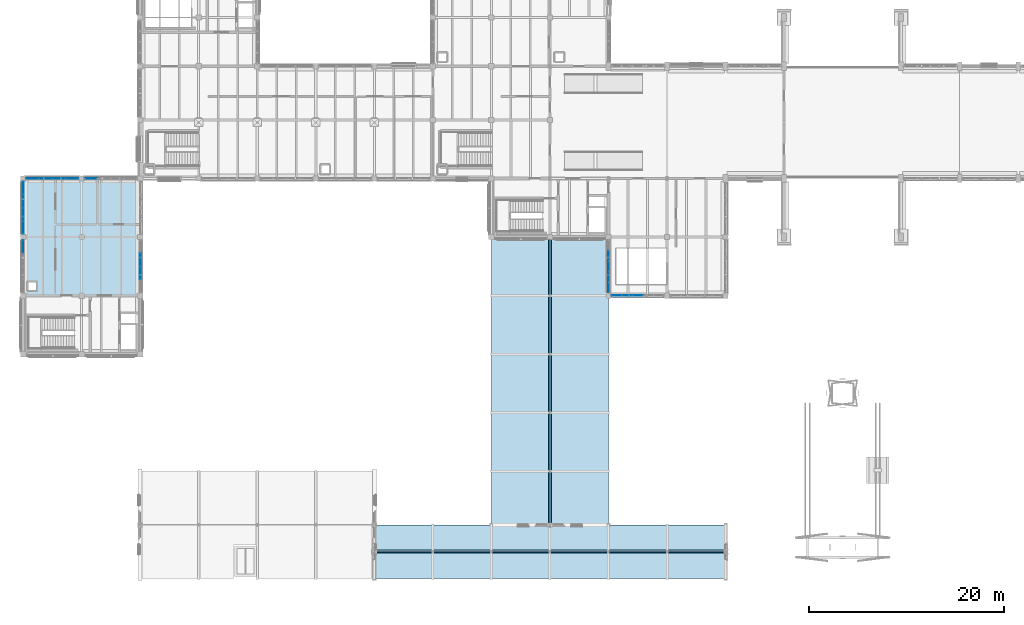
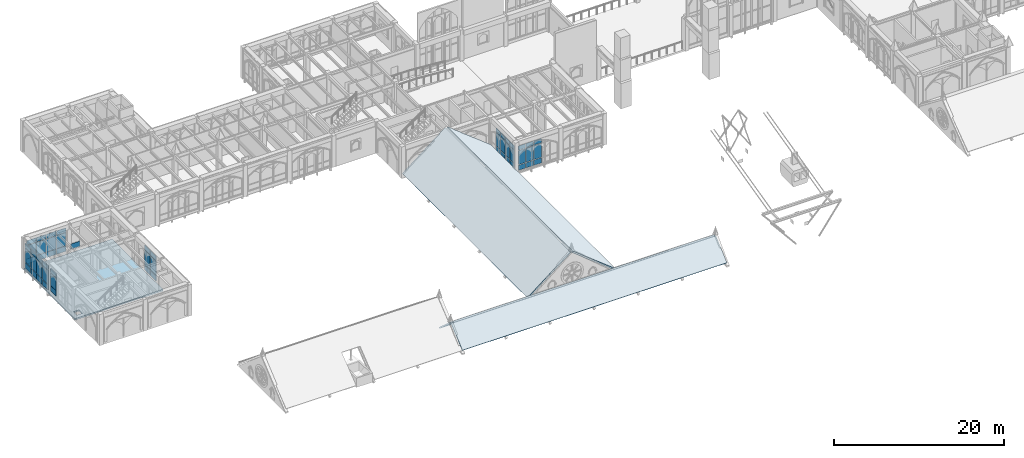
# One storey, part 62 of 108: 55 plates, 5 slabs, 7 elements without a shape of their own.
"""IFC4 building model written with IfcOpenShell, lengths in metres."""

from ifc_helpers import new_model, si_unit, direction, frame, origin, origin_2d, place, context, subcontext, project, spatial, polyline, rectangle, outline, extrude, material, layer, layer_set, type_object, element, aggregate, save


model = new_model("IFC4")

# Units and contexts
model_context = context("Model", 3, precision=1e-05, world=origin(), true_north=direction((0.0, 1.0)))
body_context = subcontext(model_context, "Body", "Model", "MODEL_VIEW")
ifc_project = project(units=[si_unit("LENGTHUNIT", "METRE"), si_unit("AREAUNIT", "SQUARE_METRE"), si_unit("VOLUMEUNIT", "CUBIC_METRE"), si_unit("PLANEANGLEUNIT", "RADIAN"), si_unit("MASSUNIT", "GRAM", prefix="KILO")], contexts=[model_context])

# Site, building, storey
site_placement = place(None, origin())
site = spatial("IfcSite", under=ifc_project, at=site_placement, CompositionType="ELEMENT")
building_placement = place(site_placement, origin())
building = spatial("IfcBuilding", under=site, at=building_placement, Name="Cumevento Cable Car Station", CompositionType="ELEMENT")
storey_placement = place(building_placement, frame((0.0, 0.0, 13.5)))
storey = spatial("IfcBuildingStorey", under=building, at=storey_placement, Name="L04", CompositionType="ELEMENT", Elevation=13.5)

# Slabs
ifc_material_1 = material(Name="Concrete C40/50", Category="concrete")
ifc_layer_1 = layer(ifc_material_1, 0.199951171875)
ifc_layer_set_1 = layer_set([ifc_layer_1], Name="Concrete C40/50")
slab_type_1 = type_object("IfcSlabType", Name="Concrete Deck FS-200 200", PredefinedType="FLOOR", material=ifc_layer_set_1)
slab_placement = place(storey_placement, frame((0.0, 0.0, -0.199951171875)))
element("IfcSlab", 1, at=slab_placement, inside=storey, type_object=slab_type_1, Name="Floor Slab FS-200 L04 B_V6b.1", PredefinedType="FLOOR", context=body_context, shape_type="SweptSolid", body=[
    extrude(outline(polyline([(10.0, 33.0), (22.0, 33.0), (22.0, 45.0), (10.0, 45.0), (10.0, 33.0)]), holes=[polyline([(10.550048828125, 33.550048828125), (11.35009765625, 33.550048828125), (11.35009765625, 34.35009765625), (10.550048828125, 34.35009765625), (10.550048828125, 33.550048828125)])]), origin(), (0.0, 0.0, 1.0), 0.199951171875),
])
ifc_material_2 = material(Name="Concrete C40/50", Category="concrete")
ifc_layer_2 = layer(ifc_material_2, 0.172119140625)
ifc_layer_set_2 = layer_set([ifc_layer_2], Name="Concrete C40/50")
slab_type_2 = type_object("IfcSlabType", Name="Concrete Deck RS-172 172", PredefinedType="ROOF", material=ifc_layer_set_2)
for number, where, z_axis, x_axis, name in (
    (2, (46.0, 4.0, 0.439208984375), (0.0, -0.665226690968, 0.746641446494), (1.0, 0.0, 0.0), "Wing B_V1b Gable Roof South"),
    (3, (46.0, 6.905029296875, 2.751220703125), (0.0, 0.665226690968, 0.746641446494), (1.0, 0.0, 0.0), "Wing B_V1b Gable Roof North"),
):
    element("IfcSlab", number, at=place(storey_placement, frame(where, z_axis=z_axis, x_axis=x_axis)), inside=storey, type_object=slab_type_2, Name=name, PredefinedType="ROOF", context=body_context, shape_type="SweptSolid", body=[
        extrude(outline(polyline([(0.0, 0.0), (36.0, 0.0), (36.0, 3.475524584536036), (0.0, 3.475524584536036), (0.0, 0.0)])), origin(), (0.0, 0.0, -1.0), 0.172119140625),
    ])
ifc_material_3 = material(Name="Concrete C40/50", Category="concrete")
ifc_layer_3 = layer(ifc_material_3, 0.215087890625)
ifc_layer_set_3 = layer_set([ifc_layer_3], Name="Concrete C40/50")
slab_type_3 = type_object("IfcSlabType", Name="Concrete Deck RS-215 215", PredefinedType="ROOF", material=ifc_layer_set_3)
for number, where, z_axis, x_axis, name in (
    (4, (58.0, 39.0, 0.47119140625), (-0.616659595847, 0.0, 0.7872299174), (0.0, -1.0, 0.0), "Wing B_V2b Gable Roof West"),
    (5, (64.159912109375, 39.0, 5.0458984375), (0.616659595847, 0.0, 0.7872299174), (0.0, -1.0, 0.0), "Wing B_V2b Gable Roof East"),
):
    element("IfcSlab", number, at=place(storey_placement, frame(where, z_axis=z_axis, x_axis=x_axis)), inside=storey, type_object=slab_type_3, Name=name, PredefinedType="ROOF", context=body_context, shape_type="SweptSolid", body=[
        extrude(outline(polyline([(0.0, 0.0), (29.5, 0.0), (29.5, 7.418528896755269), (0.0, 7.418528896755269), (0.0, 0.0)])), origin(), (0.0, 0.0, -1.0), 0.215087890625),
    ])

# Curtain wall, plates
ifc_material_4 = material(Name="Anodised Bronze Aluminium AW-6063-T6", Category="aluminium")
ifc_layer_4 = layer(ifc_material_4, 0.159912109375)
ifc_layer_set_4 = layer_set([ifc_layer_4], Name="Anodised Bronze Aluminium AW-6063-T6")
curtain_wall_type_1 = type_object("IfcCurtainWallType", Name="Lancet Curtain Wall CW-01 1050", PredefinedType="NOTDEFINED", material=ifc_layer_set_4)
curtain_wall_1_placement = place(storey_placement, origin())
curtain_wall_1 = element("IfcCurtainWall", 6, at=curtain_wall_1_placement, inside=storey, type_object=curtain_wall_type_1, Name="Lancet Curtain Wall CW-01 L04 #144", PredefinedType="NOTDEFINED")
ifc_material_5 = material(Name="Solar Control Laminated Double Glazing", Category="glass")
ifc_layer_5 = layer(ifc_material_5, 0.0380859375)
ifc_layer_set_5 = layer_set([ifc_layer_5], Name="Solar Control Laminated Double Glazing")
plate_type_1 = type_object("IfcPlateType", Name="Glazed Panel CWP-05 38", PredefinedType="CURTAIN_PANEL", material=ifc_layer_set_5)
plate_1_placement = place(storey_placement, frame((73.0, 33.0, 0.22509765625), z_axis=(0.0, 0.0, 1.0), x_axis=(-1.0, 0.0, 0.0)))
plate_1 = element("IfcPlate", 7, at=plate_1_placement, type_object=plate_type_1, Name="CW-01 panel 3.1", PredefinedType="CURTAIN_PANEL", context=body_context, shape_type="SweptSolid", body=[
    extrude(rectangle(XDim=1.02490234375, YDim=0.0380859375, at=origin_2d()), origin(), (0.0, 0.0, 1.0), 0.75244140625),
])
plate_2_placement = place(storey_placement, frame((73.0, 33.0, 1.04248046875), z_axis=(0.0, 0.0, 1.0), x_axis=(-1.0, 0.0, 0.0)))
plate_2 = element("IfcPlate", 8, at=plate_2_placement, type_object=plate_type_1, Name="CW-01 panel 3.2", PredefinedType="CURTAIN_PANEL", context=body_context, shape_type="SweptSolid", body=[
    extrude(rectangle(XDim=1.02490234375, YDim=0.0380859375, at=origin_2d()), origin(), (0.0, 0.0, 1.0), 2.02197265625),
])
plate_3_placement = place(storey_placement, frame((73.0, 33.0, 3.12939453125), z_axis=(0.0, 0.0, 1.0), x_axis=(-1.0, 0.0, 0.0)))
plate_3 = element("IfcPlate", 9, at=plate_3_placement, type_object=plate_type_1, Name="CW-01 panel 3.3", PredefinedType="CURTAIN_PANEL", context=body_context, shape_type="SweptSolid", body=[
    extrude(rectangle(XDim=1.02490234375, YDim=0.0380859375, at=origin_2d()), origin(), (0.0, 0.0, 1.0), 0.6025390625),
])
plate_4_placement = place(storey_placement, frame((71.909912109375, 33.0, 0.22509765625), z_axis=(0.0, 0.0, 1.0), x_axis=(-1.0, 0.0, 0.0)))
plate_4 = element("IfcPlate", 10, at=plate_4_placement, type_object=plate_type_1, Name="CW-01 panel 4.1", PredefinedType="CURTAIN_PANEL", context=body_context, shape_type="SweptSolid", body=[
    extrude(rectangle(XDim=1.02490234375, YDim=0.0380859375, at=origin_2d()), origin(), (0.0, 0.0, 1.0), 0.75244140625),
])
plate_5_placement = place(storey_placement, frame((71.909912109375, 33.0, 1.04248046875), z_axis=(0.0, 0.0, 1.0), x_axis=(-1.0, 0.0, 0.0)))
plate_5 = element("IfcPlate", 11, at=plate_5_placement, type_object=plate_type_1, Name="CW-01 panel 4.2", PredefinedType="CURTAIN_PANEL", context=body_context, shape_type="SweptSolid", body=[
    extrude(rectangle(XDim=1.02490234375, YDim=0.0380859375, at=origin_2d()), origin(), (0.0, 0.0, 1.0), 2.02197265625),
])
plate_6_placement = place(storey_placement, frame((71.909912109375, 33.0, 3.12939453125), z_axis=(0.0, 0.0, 1.0), x_axis=(-1.0, 0.0, 0.0)))
plate_6 = element("IfcPlate", 12, at=plate_6_placement, type_object=plate_type_1, Name="CW-01 panel 4.3", PredefinedType="CURTAIN_PANEL", context=body_context, shape_type="SweptSolid", body=[
    extrude(rectangle(XDim=1.02490234375, YDim=0.0380859375, at=origin_2d()), origin(), (0.0, 0.0, 1.0), 0.6025390625),
])
plate_7_placement = place(storey_placement, frame((70.836181640625, 33.0, 0.22509765625), z_axis=(0.0, 0.0, 1.0), x_axis=(-1.0, 0.0, 0.0)))
plate_7 = element("IfcPlate", 13, at=plate_7_placement, type_object=plate_type_1, Name="CW-01 panel 5.1", PredefinedType="CURTAIN_PANEL", context=body_context, shape_type="SweptSolid", body=[
    extrude(rectangle(XDim=0.992431640625, YDim=0.0380859375, at=origin_2d()), origin(), (0.0, 0.0, 1.0), 0.75244140625),
])
plate_8_placement = place(storey_placement, frame((70.836181640625, 33.0, 1.04248046875), z_axis=(0.0, 0.0, 1.0), x_axis=(-1.0, 0.0, 0.0)))
plate_8 = element("IfcPlate", 14, at=plate_8_placement, type_object=plate_type_1, Name="CW-01 panel 5.2", PredefinedType="CURTAIN_PANEL", context=body_context, shape_type="SweptSolid", body=[
    extrude(rectangle(XDim=0.992431640625, YDim=0.0380859375, at=origin_2d()), origin(), (0.0, 0.0, 1.0), 2.02197265625),
])
plate_9_placement = place(storey_placement, frame((70.836181640625, 33.0, 3.12939453125), z_axis=(0.0, 0.0, 1.0), x_axis=(-1.0, 0.0, 0.0)))
plate_9 = element("IfcPlate", 15, at=plate_9_placement, type_object=plate_type_1, Name="CW-01 panel 5.3", PredefinedType="CURTAIN_PANEL", context=body_context, shape_type="SweptSolid", body=[
    extrude(rectangle(XDim=0.992431640625, YDim=0.0380859375, at=origin_2d()), origin(), (0.0, 0.0, 1.0), 0.6025390625),
])
aggregate(curtain_wall_1, [plate_1, plate_2, plate_3, plate_4, plate_5, plate_6, plate_7, plate_8, plate_9])

ifc_material_6 = material(Name="Anodised Bronze Aluminium AW-6063-T6", Category="aluminium")
ifc_layer_6 = layer(ifc_material_6, 0.172119140625)
ifc_layer_set_6 = layer_set([ifc_layer_6], Name="Anodised Bronze Aluminium AW-6063-T6")
curtain_wall_type_2 = type_object("IfcCurtainWallType", Name="Lancet Curtain Wall CW-03 1130", PredefinedType="NOTDEFINED", material=ifc_layer_set_6)
curtain_wall_2_placement = place(storey_placement, origin())
curtain_wall_2 = element("IfcCurtainWall", 16, at=curtain_wall_2_placement, inside=storey, type_object=curtain_wall_type_2, Name="Lancet Curtain Wall CW-03 L04 #146", PredefinedType="NOTDEFINED")
ifc_material_7 = material(Name="Solar Control Laminated Double Glazing", Category="glass")
ifc_layer_7 = layer(ifc_material_7, 0.0458984375)
ifc_layer_set_7 = layer_set([ifc_layer_7], Name="Solar Control Laminated Double Glazing")
plate_type_2 = type_object("IfcPlateType", Name="Glazed Panel CWP-07 46", PredefinedType="CURTAIN_PANEL", material=ifc_layer_set_7)
plate_10_placement = place(storey_placement, frame((70.0, 33.836181640625, 0.324951171875), z_axis=(0.0, 0.0, 1.0), x_axis=(0.0, 1.0, 0.0)))
plate_10 = element("IfcPlate", 17, at=plate_10_placement, type_object=plate_type_2, Name="CW-03 panel 1.1", PredefinedType="CURTAIN_PANEL", context=body_context, shape_type="SweptSolid", body=[
    extrude(rectangle(XDim=0.992431640625, YDim=0.0458984375, at=origin_2d()), origin(), (0.0, 0.0, 1.0), 0.75244140625),
])
plate_11_placement = place(storey_placement, frame((70.0, 33.836181640625, 1.142578125), z_axis=(0.0, 0.0, 1.0), x_axis=(0.0, 1.0, 0.0)))
plate_11 = element("IfcPlate", 18, at=plate_11_placement, type_object=plate_type_2, Name="CW-03 panel 1.2", PredefinedType="CURTAIN_PANEL", context=body_context, shape_type="SweptSolid", body=[
    extrude(rectangle(XDim=0.992431640625, YDim=0.0458984375, at=origin_2d()), origin(), (0.0, 0.0, 1.0), 1.8720703125),
])
plate_12_placement = place(storey_placement, frame((70.0, 33.836181640625, 3.07958984375), z_axis=(0.0, 0.0, 1.0), x_axis=(0.0, 1.0, 0.0)))
plate_12 = element("IfcPlate", 19, at=plate_12_placement, type_object=plate_type_2, Name="CW-03 panel 1.3", PredefinedType="CURTAIN_PANEL", context=body_context, shape_type="SweptSolid", body=[
    extrude(rectangle(XDim=0.992431640625, YDim=0.0458984375, at=origin_2d()), origin(), (0.0, 0.0, 1.0), 0.6025390625),
])
plate_13_placement = place(storey_placement, frame((70.0, 34.909912109375, 0.324951171875), z_axis=(0.0, 0.0, 1.0), x_axis=(0.0, 1.0, 0.0)))
plate_13 = element("IfcPlate", 20, at=plate_13_placement, type_object=plate_type_2, Name="CW-03 panel 2.1", PredefinedType="CURTAIN_PANEL", context=body_context, shape_type="SweptSolid", body=[
    extrude(rectangle(XDim=1.02490234375, YDim=0.0458984375, at=origin_2d()), origin(), (0.0, 0.0, 1.0), 0.75244140625),
])
plate_14_placement = place(storey_placement, frame((70.0, 34.909912109375, 1.142578125), z_axis=(0.0, 0.0, 1.0), x_axis=(0.0, 1.0, 0.0)))
plate_14 = element("IfcPlate", 21, at=plate_14_placement, type_object=plate_type_2, Name="CW-03 panel 2.2", PredefinedType="CURTAIN_PANEL", context=body_context, shape_type="SweptSolid", body=[
    extrude(rectangle(XDim=1.02490234375, YDim=0.0458984375, at=origin_2d()), origin(), (0.0, 0.0, 1.0), 1.8720703125),
])
plate_15_placement = place(storey_placement, frame((70.0, 34.909912109375, 3.07958984375), z_axis=(0.0, 0.0, 1.0), x_axis=(0.0, 1.0, 0.0)))
plate_15 = element("IfcPlate", 22, at=plate_15_placement, type_object=plate_type_2, Name="CW-03 panel 2.3", PredefinedType="CURTAIN_PANEL", context=body_context, shape_type="SweptSolid", body=[
    extrude(rectangle(XDim=1.02490234375, YDim=0.0458984375, at=origin_2d()), origin(), (0.0, 0.0, 1.0), 0.6025390625),
])
plate_16_placement = place(storey_placement, frame((70.0, 36.0, 0.324951171875), z_axis=(0.0, 0.0, 1.0), x_axis=(0.0, 1.0, 0.0)))
plate_16 = element("IfcPlate", 23, at=plate_16_placement, type_object=plate_type_2, Name="CW-03 panel 3.1", PredefinedType="CURTAIN_PANEL", context=body_context, shape_type="SweptSolid", body=[
    extrude(rectangle(XDim=1.02490234375, YDim=0.0458984375, at=origin_2d()), origin(), (0.0, 0.0, 1.0), 0.75244140625),
])
plate_17_placement = place(storey_placement, frame((70.0, 36.0, 1.142578125), z_axis=(0.0, 0.0, 1.0), x_axis=(0.0, 1.0, 0.0)))
plate_17 = element("IfcPlate", 24, at=plate_17_placement, type_object=plate_type_2, Name="CW-03 panel 3.2", PredefinedType="CURTAIN_PANEL", context=body_context, shape_type="SweptSolid", body=[
    extrude(rectangle(XDim=1.02490234375, YDim=0.0458984375, at=origin_2d()), origin(), (0.0, 0.0, 1.0), 1.8720703125),
])
plate_18_placement = place(storey_placement, frame((70.0, 36.0, 3.07958984375), z_axis=(0.0, 0.0, 1.0), x_axis=(0.0, 1.0, 0.0)))
plate_18 = element("IfcPlate", 25, at=plate_18_placement, type_object=plate_type_2, Name="CW-03 panel 3.3", PredefinedType="CURTAIN_PANEL", context=body_context, shape_type="SweptSolid", body=[
    extrude(rectangle(XDim=1.02490234375, YDim=0.0458984375, at=origin_2d()), origin(), (0.0, 0.0, 1.0), 0.6025390625),
])
plate_19_placement = place(storey_placement, frame((70.0, 37.090087890625, 0.324951171875), z_axis=(0.0, 0.0, 1.0), x_axis=(0.0, 1.0, 0.0)))
plate_19 = element("IfcPlate", 26, at=plate_19_placement, type_object=plate_type_2, Name="CW-03 panel 4.1", PredefinedType="CURTAIN_PANEL", context=body_context, shape_type="SweptSolid", body=[
    extrude(rectangle(XDim=1.02490234375, YDim=0.0458984375, at=origin_2d()), origin(), (0.0, 0.0, 1.0), 0.75244140625),
])
plate_20_placement = place(storey_placement, frame((70.0, 37.090087890625, 1.142578125), z_axis=(0.0, 0.0, 1.0), x_axis=(0.0, 1.0, 0.0)))
plate_20 = element("IfcPlate", 27, at=plate_20_placement, type_object=plate_type_2, Name="CW-03 panel 4.2", PredefinedType="CURTAIN_PANEL", context=body_context, shape_type="SweptSolid", body=[
    extrude(rectangle(XDim=1.02490234375, YDim=0.0458984375, at=origin_2d()), origin(), (0.0, 0.0, 1.0), 1.8720703125),
])
plate_21_placement = place(storey_placement, frame((70.0, 37.090087890625, 3.07958984375), z_axis=(0.0, 0.0, 1.0), x_axis=(0.0, 1.0, 0.0)))
plate_21 = element("IfcPlate", 28, at=plate_21_placement, type_object=plate_type_2, Name="CW-03 panel 4.3", PredefinedType="CURTAIN_PANEL", context=body_context, shape_type="SweptSolid", body=[
    extrude(rectangle(XDim=1.02490234375, YDim=0.0458984375, at=origin_2d()), origin(), (0.0, 0.0, 1.0), 0.6025390625),
])
aggregate(curtain_wall_2, [plate_10, plate_11, plate_12, plate_13, plate_14, plate_15, plate_16, plate_17, plate_18, plate_19, plate_20, plate_21])

ifc_material_8 = material(Name="Anodised Bronze Aluminium AW-6063-T6", Category="aluminium")
ifc_layer_8 = layer(ifc_material_8, 0.18994140625)
ifc_layer_set_8 = layer_set([ifc_layer_8], Name="Anodised Bronze Aluminium AW-6063-T6")
curtain_wall_type_3 = type_object("IfcCurtainWallType", Name="Lancet Curtain Wall CW-06 1250", PredefinedType="NOTDEFINED", material=ifc_layer_set_8)
curtain_wall_3_placement = place(storey_placement, origin())
curtain_wall_3 = element("IfcCurtainWall", 29, at=curtain_wall_3_placement, inside=storey, type_object=curtain_wall_type_3, Name="Lancet Curtain Wall CW-06 L04 #149", PredefinedType="NOTDEFINED")
ifc_material_9 = material(Name="Insulated Bronze Aluminium Spandrel Panel", Category="aluminium")
ifc_layer_9 = layer(ifc_material_9, 0.06005859375)
ifc_layer_set_9 = layer_set([ifc_layer_9], Name="Insulated Bronze Aluminium Spandrel Panel")
plate_type_3 = type_object("IfcPlateType", Name="Spandrel Panel CWP-10 60", PredefinedType="CURTAIN_PANEL", material=ifc_layer_set_9)
plate_22_placement = place(storey_placement, frame((10.972412109375, 45.0, 0.47509765625), z_axis=(0.0, 0.0, 1.0), x_axis=(1.0, 0.0, 0.0)))
plate_22 = element("IfcPlate", 30, at=plate_22_placement, type_object=plate_type_3, Name="CW-06 panel 1.1", PredefinedType="CURTAIN_PANEL", context=body_context, shape_type="SweptSolid", body=[
    extrude(rectangle(XDim=1.264892578125, YDim=0.06005859375, at=origin_2d()), origin(), (0.0, 0.0, 1.0), 0.75244140625),
])
plate_23_placement = place(storey_placement, frame((10.972412109375, 45.0, 1.29248046875), z_axis=(0.0, 0.0, 1.0), x_axis=(1.0, 0.0, 0.0)))
plate_23 = element("IfcPlate", 31, at=plate_23_placement, type_object=plate_type_3, Name="CW-06 panel 1.2", PredefinedType="CURTAIN_PANEL", context=body_context, shape_type="SweptSolid", body=[
    extrude(rectangle(XDim=1.264892578125, YDim=0.06005859375, at=origin_2d()), origin(), (0.0, 0.0, 1.0), 1.85595703125),
])
plate_24_placement = place(storey_placement, frame((10.972412109375, 45.0, 3.21337890625), z_axis=(0.0, 0.0, 1.0), x_axis=(1.0, 0.0, 0.0)))
plate_24 = element("IfcPlate", 32, at=plate_24_placement, type_object=plate_type_3, Name="CW-06 panel 1.3", PredefinedType="CURTAIN_PANEL", context=body_context, shape_type="SweptSolid", body=[
    extrude(rectangle(XDim=1.264892578125, YDim=0.06005859375, at=origin_2d()), origin(), (0.0, 0.0, 1.0), 0.6025390625),
])
plate_25_placement = place(storey_placement, frame((12.31884765625, 45.0, 0.47509765625), z_axis=(0.0, 0.0, 1.0), x_axis=(1.0, 0.0, 0.0)))
plate_25 = element("IfcPlate", 33, at=plate_25_placement, type_object=plate_type_3, Name="CW-06 panel 2.1", PredefinedType="CURTAIN_PANEL", context=body_context, shape_type="SweptSolid", body=[
    extrude(rectangle(XDim=1.297607421875, YDim=0.06005859375, at=origin_2d()), origin(), (0.0, 0.0, 1.0), 0.75244140625),
])
plate_26_placement = place(storey_placement, frame((12.31884765625, 45.0, 1.29248046875), z_axis=(0.0, 0.0, 1.0), x_axis=(1.0, 0.0, 0.0)))
plate_26 = element("IfcPlate", 34, at=plate_26_placement, type_object=plate_type_3, Name="CW-06 panel 2.2", PredefinedType="CURTAIN_PANEL", context=body_context, shape_type="SweptSolid", body=[
    extrude(rectangle(XDim=1.297607421875, YDim=0.06005859375, at=origin_2d()), origin(), (0.0, 0.0, 1.0), 1.85595703125),
])
plate_27_placement = place(storey_placement, frame((12.31884765625, 45.0, 3.21337890625), z_axis=(0.0, 0.0, 1.0), x_axis=(1.0, 0.0, 0.0)))
plate_27 = element("IfcPlate", 35, at=plate_27_placement, type_object=plate_type_3, Name="CW-06 panel 2.3", PredefinedType="CURTAIN_PANEL", context=body_context, shape_type="SweptSolid", body=[
    extrude(rectangle(XDim=1.297607421875, YDim=0.06005859375, at=origin_2d()), origin(), (0.0, 0.0, 1.0), 0.6025390625),
])
plate_28_placement = place(storey_placement, frame((13.68115234375, 45.0, 0.47509765625), z_axis=(0.0, 0.0, 1.0), x_axis=(1.0, 0.0, 0.0)))
plate_28 = element("IfcPlate", 36, at=plate_28_placement, type_object=plate_type_3, Name="CW-06 panel 3.1", PredefinedType="CURTAIN_PANEL", context=body_context, shape_type="SweptSolid", body=[
    extrude(rectangle(XDim=1.297607421875, YDim=0.06005859375, at=origin_2d()), origin(), (0.0, 0.0, 1.0), 0.75244140625),
])
plate_29_placement = place(storey_placement, frame((13.68115234375, 45.0, 1.29248046875), z_axis=(0.0, 0.0, 1.0), x_axis=(1.0, 0.0, 0.0)))
plate_29 = element("IfcPlate", 37, at=plate_29_placement, type_object=plate_type_3, Name="CW-06 panel 3.2", PredefinedType="CURTAIN_PANEL", context=body_context, shape_type="SweptSolid", body=[
    extrude(rectangle(XDim=1.297607421875, YDim=0.06005859375, at=origin_2d()), origin(), (0.0, 0.0, 1.0), 1.85595703125),
])
plate_30_placement = place(storey_placement, frame((13.68115234375, 45.0, 3.21337890625), z_axis=(0.0, 0.0, 1.0), x_axis=(1.0, 0.0, 0.0)))
plate_30 = element("IfcPlate", 38, at=plate_30_placement, type_object=plate_type_3, Name="CW-06 panel 3.3", PredefinedType="CURTAIN_PANEL", context=body_context, shape_type="SweptSolid", body=[
    extrude(rectangle(XDim=1.297607421875, YDim=0.06005859375, at=origin_2d()), origin(), (0.0, 0.0, 1.0), 0.6025390625),
])
plate_31_placement = place(storey_placement, frame((15.027587890625, 45.0, 0.47509765625), z_axis=(0.0, 0.0, 1.0), x_axis=(1.0, 0.0, 0.0)))
plate_31 = element("IfcPlate", 39, at=plate_31_placement, type_object=plate_type_3, Name="CW-06 panel 4.1", PredefinedType="CURTAIN_PANEL", context=body_context, shape_type="SweptSolid", body=[
    extrude(rectangle(XDim=1.264892578125, YDim=0.06005859375, at=origin_2d()), origin(), (0.0, 0.0, 1.0), 0.75244140625),
])
plate_32_placement = place(storey_placement, frame((15.027587890625, 45.0, 1.29248046875), z_axis=(0.0, 0.0, 1.0), x_axis=(1.0, 0.0, 0.0)))
plate_32 = element("IfcPlate", 40, at=plate_32_placement, type_object=plate_type_3, Name="CW-06 panel 4.2", PredefinedType="CURTAIN_PANEL", context=body_context, shape_type="SweptSolid", body=[
    extrude(rectangle(XDim=1.264892578125, YDim=0.06005859375, at=origin_2d()), origin(), (0.0, 0.0, 1.0), 1.85595703125),
])
plate_33_placement = place(storey_placement, frame((15.027587890625, 45.0, 3.21337890625), z_axis=(0.0, 0.0, 1.0), x_axis=(1.0, 0.0, 0.0)))
plate_33 = element("IfcPlate", 41, at=plate_33_placement, type_object=plate_type_3, Name="CW-06 panel 4.3", PredefinedType="CURTAIN_PANEL", context=body_context, shape_type="SweptSolid", body=[
    extrude(rectangle(XDim=1.264892578125, YDim=0.06005859375, at=origin_2d()), origin(), (0.0, 0.0, 1.0), 0.6025390625),
])
aggregate(curtain_wall_3, [plate_22, plate_23, plate_24, plate_25, plate_26, plate_27, plate_28, plate_29, plate_30, plate_31, plate_32, plate_33])

# Curtain wall, plate
ifc_material_10 = material(Name="Anodised Bronze Aluminium AW-6063-T6", Category="aluminium")
ifc_layer_10 = layer(ifc_material_10, 0.196044921875)
ifc_layer_set_10 = layer_set([ifc_layer_10], Name="Anodised Bronze Aluminium AW-6063-T6")
curtain_wall_type_4 = type_object("IfcCurtainWallType", Name="Lancet Curtain Wall CW-07 1290", PredefinedType="NOTDEFINED", material=ifc_layer_set_10)
curtain_wall_4_placement = place(storey_placement, origin())
curtain_wall_4 = element("IfcCurtainWall", 42, at=curtain_wall_4_placement, inside=storey, type_object=curtain_wall_type_4, Name="Lancet Curtain Wall CW-07 L04 #150", PredefinedType="NOTDEFINED")
ifc_material_11 = material(Name="Insulated Bronze Aluminium Spandrel Panel", Category="aluminium")
ifc_layer_11 = layer(ifc_material_11, 0.06591796875)
ifc_layer_set_11 = layer_set([ifc_layer_11], Name="Insulated Bronze Aluminium Spandrel Panel")
plate_type_4 = type_object("IfcPlateType", Name="Spandrel Panel CWP-11 66", PredefinedType="CURTAIN_PANEL", material=ifc_layer_set_11)
plate_34_placement = place(storey_placement, frame((16.972412109375, 45.0, 0.525146484375), z_axis=(0.0, 0.0, 1.0), x_axis=(1.0, 0.0, 0.0)))
plate_34 = element("IfcPlate", 43, at=plate_34_placement, type_object=plate_type_4, Name="CW-07 panel 1.1", PredefinedType="CURTAIN_PANEL", context=body_context, shape_type="SweptSolid", body=[
    extrude(rectangle(XDim=1.264892578125, YDim=0.06591796875, at=origin_2d()), origin(), (0.0, 0.0, 1.0), 0.75244140625),
])
aggregate(curtain_wall_4, [plate_34])

# Curtain wall, plates
ifc_material_12 = material(Name="Anodised Bronze Aluminium AW-6063-T6", Category="aluminium")
ifc_layer_12 = layer(ifc_material_12, 0.201904296875)
ifc_layer_set_12 = layer_set([ifc_layer_12], Name="Anodised Bronze Aluminium AW-6063-T6")
curtain_wall_type_5 = type_object("IfcCurtainWallType", Name="Lancet Curtain Wall CW-08 1330", PredefinedType="NOTDEFINED", material=ifc_layer_set_12)
curtain_wall_5_placement = place(storey_placement, origin())
curtain_wall_5 = element("IfcCurtainWall", 44, at=curtain_wall_5_placement, inside=storey, type_object=curtain_wall_type_5, Name="Lancet Curtain Wall CW-08 L04 #151", PredefinedType="NOTDEFINED")
ifc_material_13 = material(Name="Insulated Bronze Aluminium Spandrel Panel", Category="aluminium")
ifc_layer_13 = layer(ifc_material_13, 0.072021484375)
ifc_layer_set_13 = layer_set([ifc_layer_13], Name="Insulated Bronze Aluminium Spandrel Panel")
plate_type_5 = type_object("IfcPlateType", Name="Spandrel Panel CWP-12 72", PredefinedType="CURTAIN_PANEL", material=ifc_layer_set_13)
plate_35_placement = place(storey_placement, frame((10.0, 38.027587890625, 0.5849609375), z_axis=(0.0, 0.0, 1.0), x_axis=(0.0, 1.0, 0.0)))
plate_35 = element("IfcPlate", 45, at=plate_35_placement, type_object=plate_type_5, Name="CW-08 panel 4.1", PredefinedType="CURTAIN_PANEL", context=body_context, shape_type="SweptSolid", body=[
    extrude(rectangle(XDim=1.264892578125, YDim=0.072021484375, at=origin_2d()), origin(), (0.0, 0.0, 1.0), 0.75244140625),
])
plate_36_placement = place(storey_placement, frame((10.0, 38.027587890625, 1.40234375), z_axis=(0.0, 0.0, 1.0), x_axis=(0.0, 1.0, 0.0)))
plate_36 = element("IfcPlate", 46, at=plate_36_placement, type_object=plate_type_5, Name="CW-08 panel 4.2", PredefinedType="CURTAIN_PANEL", context=body_context, shape_type="SweptSolid", body=[
    extrude(rectangle(XDim=1.264892578125, YDim=0.072021484375, at=origin_2d()), origin(), (0.0, 0.0, 1.0), 1.74609375),
])
plate_37_placement = place(storey_placement, frame((10.0, 38.027587890625, 3.21337890625), z_axis=(0.0, 0.0, 1.0), x_axis=(0.0, 1.0, 0.0)))
plate_37 = element("IfcPlate", 47, at=plate_37_placement, type_object=plate_type_5, Name="CW-08 panel 4.3", PredefinedType="CURTAIN_PANEL", context=body_context, shape_type="SweptSolid", body=[
    extrude(rectangle(XDim=1.264892578125, YDim=0.072021484375, at=origin_2d()), origin(), (0.0, 0.0, 1.0), 0.6025390625),
])
aggregate(curtain_wall_5, [plate_35, plate_36, plate_37])

ifc_material_14 = material(Name="Anodised Bronze Aluminium AW-6063-T6", Category="aluminium")
ifc_layer_14 = layer(ifc_material_14, 0.2080078125)
ifc_layer_set_14 = layer_set([ifc_layer_14], Name="Anodised Bronze Aluminium AW-6063-T6")
curtain_wall_type_6 = type_object("IfcCurtainWallType", Name="Lancet Curtain Wall CW-09 1370", PredefinedType="NOTDEFINED", material=ifc_layer_set_14)
curtain_wall_6_placement = place(storey_placement, origin())
curtain_wall_6 = element("IfcCurtainWall", 48, at=curtain_wall_6_placement, inside=storey, type_object=curtain_wall_type_6, Name="Lancet Curtain Wall CW-09 L04 #152", PredefinedType="NOTDEFINED")
ifc_material_15 = material(Name="Insulated Bronze Aluminium Spandrel Panel", Category="aluminium")
ifc_layer_15 = layer(ifc_material_15, 0.077880859375)
ifc_layer_set_15 = layer_set([ifc_layer_15], Name="Insulated Bronze Aluminium Spandrel Panel")
plate_type_6 = type_object("IfcPlateType", Name="Spandrel Panel CWP-13 78", PredefinedType="CURTAIN_PANEL", material=ifc_layer_set_15)
plate_38_placement = place(storey_placement, frame((22.0, 36.68115234375, 0.22509765625), z_axis=(0.0, 0.0, 1.0), x_axis=(0.0, -1.0, 0.0)))
plate_38 = element("IfcPlate", 49, at=plate_38_placement, type_object=plate_type_6, Name="CW-09 panel 2.1", PredefinedType="CURTAIN_PANEL", context=body_context, shape_type="SweptSolid", body=[
    extrude(rectangle(XDim=1.297607421875, YDim=0.077880859375, at=origin_2d()), origin(), (0.0, 0.0, 1.0), 0.75244140625),
])
plate_39_placement = place(storey_placement, frame((22.0, 36.68115234375, 1.04248046875), z_axis=(0.0, 0.0, 1.0), x_axis=(0.0, -1.0, 0.0)))
plate_39 = element("IfcPlate", 50, at=plate_39_placement, type_object=plate_type_6, Name="CW-09 panel 2.2", PredefinedType="CURTAIN_PANEL", context=body_context, shape_type="SweptSolid", body=[
    extrude(rectangle(XDim=1.297607421875, YDim=0.077880859375, at=origin_2d()), origin(), (0.0, 0.0, 1.0), 2.10595703125),
])
plate_40_placement = place(storey_placement, frame((22.0, 36.68115234375, 3.21337890625), z_axis=(0.0, 0.0, 1.0), x_axis=(0.0, -1.0, 0.0)))
plate_40 = element("IfcPlate", 51, at=plate_40_placement, type_object=plate_type_6, Name="CW-09 panel 2.3", PredefinedType="CURTAIN_PANEL", context=body_context, shape_type="SweptSolid", body=[
    extrude(rectangle(XDim=1.297607421875, YDim=0.077880859375, at=origin_2d()), origin(), (0.0, 0.0, 1.0), 0.6025390625),
])
plate_41_placement = place(storey_placement, frame((22.0, 35.31884765625, 0.22509765625), z_axis=(0.0, 0.0, 1.0), x_axis=(0.0, -1.0, 0.0)))
plate_41 = element("IfcPlate", 52, at=plate_41_placement, type_object=plate_type_6, Name="CW-09 panel 3.1", PredefinedType="CURTAIN_PANEL", context=body_context, shape_type="SweptSolid", body=[
    extrude(rectangle(XDim=1.297607421875, YDim=0.077880859375, at=origin_2d()), origin(), (0.0, 0.0, 1.0), 0.75244140625),
])
plate_42_placement = place(storey_placement, frame((22.0, 35.31884765625, 1.04248046875), z_axis=(0.0, 0.0, 1.0), x_axis=(0.0, -1.0, 0.0)))
plate_42 = element("IfcPlate", 53, at=plate_42_placement, type_object=plate_type_6, Name="CW-09 panel 3.2", PredefinedType="CURTAIN_PANEL", context=body_context, shape_type="SweptSolid", body=[
    extrude(rectangle(XDim=1.297607421875, YDim=0.077880859375, at=origin_2d()), origin(), (0.0, 0.0, 1.0), 2.10595703125),
])
plate_43_placement = place(storey_placement, frame((22.0, 35.31884765625, 3.21337890625), z_axis=(0.0, 0.0, 1.0), x_axis=(0.0, -1.0, 0.0)))
plate_43 = element("IfcPlate", 54, at=plate_43_placement, type_object=plate_type_6, Name="CW-09 panel 3.3", PredefinedType="CURTAIN_PANEL", context=body_context, shape_type="SweptSolid", body=[
    extrude(rectangle(XDim=1.297607421875, YDim=0.077880859375, at=origin_2d()), origin(), (0.0, 0.0, 1.0), 0.6025390625),
])
aggregate(curtain_wall_6, [plate_38, plate_39, plate_40, plate_41, plate_42, plate_43])

ifc_material_16 = material(Name="Anodised Bronze Aluminium AW-6063-T6", Category="aluminium")
ifc_layer_16 = layer(ifc_material_16, 0.214111328125)
ifc_layer_set_16 = layer_set([ifc_layer_16], Name="Anodised Bronze Aluminium AW-6063-T6")
curtain_wall_type_7 = type_object("IfcCurtainWallType", Name="Lancet Curtain Wall CW-10 1410", PredefinedType="NOTDEFINED", material=ifc_layer_set_16)
curtain_wall_7_placement = place(storey_placement, origin())
curtain_wall_7 = element("IfcCurtainWall", 55, at=curtain_wall_7_placement, inside=storey, type_object=curtain_wall_type_7, Name="Lancet Curtain Wall CW-10 L04 #153", PredefinedType="NOTDEFINED")
ifc_material_17 = material(Name="Insulated Bronze Aluminium Spandrel Panel", Category="aluminium")
ifc_layer_17 = layer(ifc_material_17, 0.0849609375)
ifc_layer_set_17 = layer_set([ifc_layer_17], Name="Insulated Bronze Aluminium Spandrel Panel")
plate_type_7 = type_object("IfcPlateType", Name="Spandrel Panel CWP-14 85", PredefinedType="CURTAIN_PANEL", material=ifc_layer_set_17)
plate_44_placement = place(storey_placement, frame((10.0, 39.972412109375, 0.275146484375), z_axis=(0.0, 0.0, 1.0), x_axis=(0.0, 1.0, 0.0)))
plate_44 = element("IfcPlate", 56, at=plate_44_placement, type_object=plate_type_7, Name="CW-10 panel 1.1", PredefinedType="CURTAIN_PANEL", context=body_context, shape_type="SweptSolid", body=[
    extrude(rectangle(XDim=1.264892578125, YDim=0.0849609375, at=origin_2d()), origin(), (0.0, 0.0, 1.0), 0.75244140625),
])
plate_45_placement = place(storey_placement, frame((10.0, 39.972412109375, 1.0927734375), z_axis=(0.0, 0.0, 1.0), x_axis=(0.0, 1.0, 0.0)))
plate_45 = element("IfcPlate", 57, at=plate_45_placement, type_object=plate_type_7, Name="CW-10 panel 1.2", PredefinedType="CURTAIN_PANEL", context=body_context, shape_type="SweptSolid", body=[
    extrude(rectangle(XDim=1.264892578125, YDim=0.0849609375, at=origin_2d()), origin(), (0.0, 0.0, 1.0), 2.055908203125),
])
plate_46_placement = place(storey_placement, frame((10.0, 39.972412109375, 3.21337890625), z_axis=(0.0, 0.0, 1.0), x_axis=(0.0, 1.0, 0.0)))
plate_46 = element("IfcPlate", 58, at=plate_46_placement, type_object=plate_type_7, Name="CW-10 panel 1.3", PredefinedType="CURTAIN_PANEL", context=body_context, shape_type="SweptSolid", body=[
    extrude(rectangle(XDim=1.264892578125, YDim=0.0849609375, at=origin_2d()), origin(), (0.0, 0.0, 1.0), 0.6025390625),
])
plate_47_placement = place(storey_placement, frame((10.0, 41.31884765625, 0.275146484375), z_axis=(0.0, 0.0, 1.0), x_axis=(0.0, 1.0, 0.0)))
plate_47 = element("IfcPlate", 59, at=plate_47_placement, type_object=plate_type_7, Name="CW-10 panel 2.1", PredefinedType="CURTAIN_PANEL", context=body_context, shape_type="SweptSolid", body=[
    extrude(rectangle(XDim=1.297607421875, YDim=0.0849609375, at=origin_2d()), origin(), (0.0, 0.0, 1.0), 0.75244140625),
])
plate_48_placement = place(storey_placement, frame((10.0, 41.31884765625, 1.0927734375), z_axis=(0.0, 0.0, 1.0), x_axis=(0.0, 1.0, 0.0)))
plate_48 = element("IfcPlate", 60, at=plate_48_placement, type_object=plate_type_7, Name="CW-10 panel 2.2", PredefinedType="CURTAIN_PANEL", context=body_context, shape_type="SweptSolid", body=[
    extrude(rectangle(XDim=1.297607421875, YDim=0.0849609375, at=origin_2d()), origin(), (0.0, 0.0, 1.0), 2.055908203125),
])
plate_49_placement = place(storey_placement, frame((10.0, 41.31884765625, 3.21337890625), z_axis=(0.0, 0.0, 1.0), x_axis=(0.0, 1.0, 0.0)))
plate_49 = element("IfcPlate", 61, at=plate_49_placement, type_object=plate_type_7, Name="CW-10 panel 2.3", PredefinedType="CURTAIN_PANEL", context=body_context, shape_type="SweptSolid", body=[
    extrude(rectangle(XDim=1.297607421875, YDim=0.0849609375, at=origin_2d()), origin(), (0.0, 0.0, 1.0), 0.6025390625),
])
plate_50_placement = place(storey_placement, frame((10.0, 42.68115234375, 0.275146484375), z_axis=(0.0, 0.0, 1.0), x_axis=(0.0, 1.0, 0.0)))
plate_50 = element("IfcPlate", 62, at=plate_50_placement, type_object=plate_type_7, Name="CW-10 panel 3.1", PredefinedType="CURTAIN_PANEL", context=body_context, shape_type="SweptSolid", body=[
    extrude(rectangle(XDim=1.297607421875, YDim=0.0849609375, at=origin_2d()), origin(), (0.0, 0.0, 1.0), 0.75244140625),
])
plate_51_placement = place(storey_placement, frame((10.0, 42.68115234375, 1.0927734375), z_axis=(0.0, 0.0, 1.0), x_axis=(0.0, 1.0, 0.0)))
plate_51 = element("IfcPlate", 63, at=plate_51_placement, type_object=plate_type_7, Name="CW-10 panel 3.2", PredefinedType="CURTAIN_PANEL", context=body_context, shape_type="SweptSolid", body=[
    extrude(rectangle(XDim=1.297607421875, YDim=0.0849609375, at=origin_2d()), origin(), (0.0, 0.0, 1.0), 2.055908203125),
])
plate_52_placement = place(storey_placement, frame((10.0, 42.68115234375, 3.21337890625), z_axis=(0.0, 0.0, 1.0), x_axis=(0.0, 1.0, 0.0)))
plate_52 = element("IfcPlate", 64, at=plate_52_placement, type_object=plate_type_7, Name="CW-10 panel 3.3", PredefinedType="CURTAIN_PANEL", context=body_context, shape_type="SweptSolid", body=[
    extrude(rectangle(XDim=1.297607421875, YDim=0.0849609375, at=origin_2d()), origin(), (0.0, 0.0, 1.0), 0.6025390625),
])
plate_53_placement = place(storey_placement, frame((10.0, 44.027587890625, 0.275146484375), z_axis=(0.0, 0.0, 1.0), x_axis=(0.0, 1.0, 0.0)))
plate_53 = element("IfcPlate", 65, at=plate_53_placement, type_object=plate_type_7, Name="CW-10 panel 4.1", PredefinedType="CURTAIN_PANEL", context=body_context, shape_type="SweptSolid", body=[
    extrude(rectangle(XDim=1.264892578125, YDim=0.0849609375, at=origin_2d()), origin(), (0.0, 0.0, 1.0), 0.75244140625),
])
plate_54_placement = place(storey_placement, frame((10.0, 44.027587890625, 1.0927734375), z_axis=(0.0, 0.0, 1.0), x_axis=(0.0, 1.0, 0.0)))
plate_54 = element("IfcPlate", 66, at=plate_54_placement, type_object=plate_type_7, Name="CW-10 panel 4.2", PredefinedType="CURTAIN_PANEL", context=body_context, shape_type="SweptSolid", body=[
    extrude(rectangle(XDim=1.264892578125, YDim=0.0849609375, at=origin_2d()), origin(), (0.0, 0.0, 1.0), 2.055908203125),
])
plate_55_placement = place(storey_placement, frame((10.0, 44.027587890625, 3.21337890625), z_axis=(0.0, 0.0, 1.0), x_axis=(0.0, 1.0, 0.0)))
plate_55 = element("IfcPlate", 67, at=plate_55_placement, type_object=plate_type_7, Name="CW-10 panel 4.3", PredefinedType="CURTAIN_PANEL", context=body_context, shape_type="SweptSolid", body=[
    extrude(rectangle(XDim=1.264892578125, YDim=0.0849609375, at=origin_2d()), origin(), (0.0, 0.0, 1.0), 0.6025390625),
])
aggregate(curtain_wall_7, [plate_44, plate_45, plate_46, plate_47, plate_48, plate_49, plate_50, plate_51, plate_52, plate_53, plate_54, plate_55])

save(model, "model.ifc")
